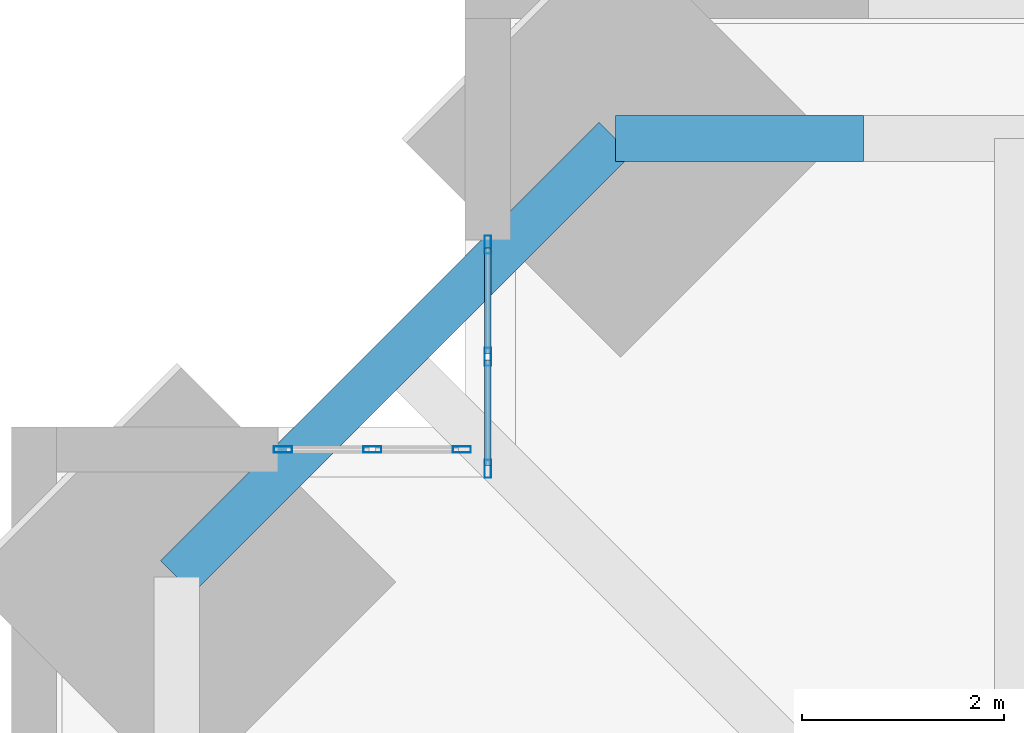
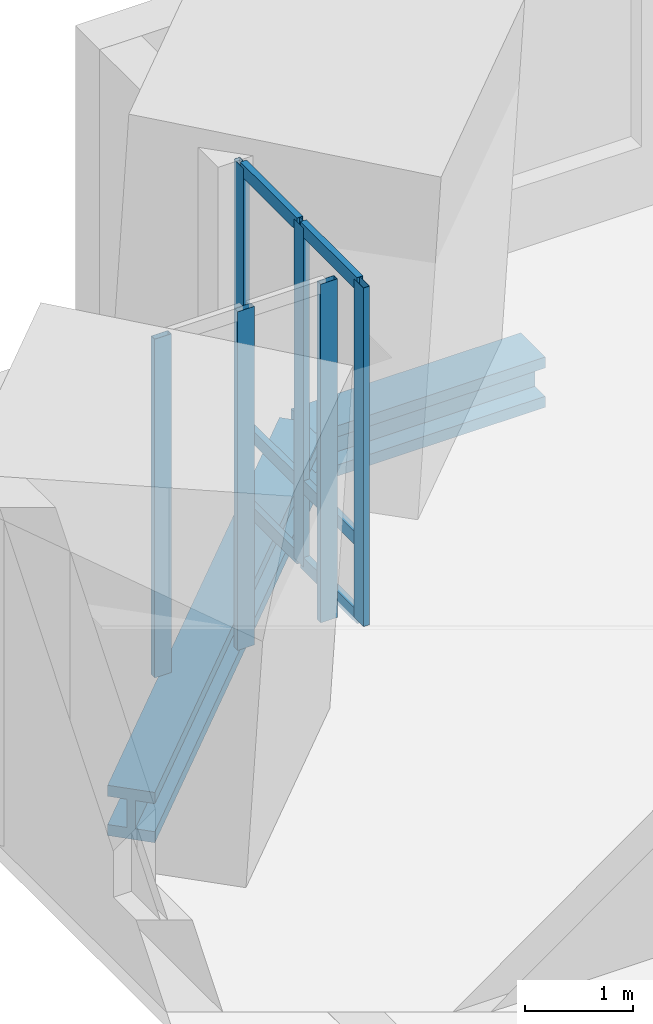
# One storey, part 6 of 15: 13 members, 1 beam, 2 elements without a shape of their own.
"""IFC4 building model written with IfcOpenShell, lengths in metres."""

from ifc_helpers import new_model, si_unit, direction, frame, origin, origin_2d, place, context, subcontext, project, spatial, hollow_rectangle, i_section, extrude, material, material_profile, profile_set, type_object, element, aggregate, save


model = new_model("IFC4")

# Units and contexts
model_context = context("Model", 3, precision=1e-05, world=origin(), true_north=direction((0.0, 1.0)))
body_context = subcontext(model_context, "Body", "Model", "MODEL_VIEW")
ifc_project = project(units=[si_unit("LENGTHUNIT", "METRE"), si_unit("AREAUNIT", "SQUARE_METRE"), si_unit("VOLUMEUNIT", "CUBIC_METRE"), si_unit("PLANEANGLEUNIT", "RADIAN"), si_unit("MASSUNIT", "GRAM", prefix="KILO")], contexts=[model_context])

# Site, building, storey
site_placement = place(None, origin())
site = spatial("IfcSite", under=ifc_project, at=site_placement, CompositionType="ELEMENT")
building_placement = place(site_placement, origin())
building = spatial("IfcBuilding", under=site, at=building_placement, Name="Peilmerk Tower", CompositionType="ELEMENT")
storey_placement = place(building_placement, frame((0.0, 0.0, 201.800048828125)))
storey = spatial("IfcBuildingStorey", under=building, at=storey_placement, Name="L43", CompositionType="ELEMENT", Elevation=201.800048828125)

# Beam
ifc_material_1 = material(Name="Steel S460", Category="steel")
ifc_material_profile_1 = material_profile(ifc_material_1, i_section(OverallWidth=0.4541015625, OverallDepth=0.569091796875, WebThickness=0.077880859375, FlangeThickness=0.125, at=origin_2d()), Name="HD 400x1086")
ifc_profile_set_1 = profile_set([ifc_material_profile_1], Name="Steel S460")
beam_type = type_object("IfcBeamType", Name="B17 HD 400x1086 edge beam", PredefinedType="SPANDREL", material=ifc_profile_set_1)
beam_placement = place(storey_placement, frame((-22.759765625, 18.40966796875, -0.45458984375), z_axis=(0.707106781187, 0.707106781187, 0.0), x_axis=(-0.707106781187, 0.707106781187, 0.0)))
element("IfcBeam", 1, at=beam_placement, inside=storey, type_object=beam_type, Name="Notch beam L43", PredefinedType="SPANDREL", context=body_context, shape_type="SweptSolid", body=[
    extrude(i_section(OverallWidth=0.4541015625, OverallDepth=0.569091796875, WebThickness=0.077880859375, FlangeThickness=0.125, at=origin_2d()), origin(), (0.0, 0.0, 1.0), 6.15185546875),
])

# Curtain wall, members
ifc_material_2 = material(Name="Aluminium stick curtain wall", Category="aluminium")
curtain_wall_type = type_object("IfcCurtainWallType", Name="CW4 stick curtain wall, 2250 module", PredefinedType="NOTDEFINED", material=ifc_material_2)
curtain_wall_1_placement = place(storey_placement, origin())
curtain_wall_1 = element("IfcCurtainWall", 2, at=curtain_wall_1_placement, inside=storey, type_object=curtain_wall_type, Name="Curtain wall CW4 NWA L43", PredefinedType="NOTDEFINED")
ifc_material_3 = material(Name="Aluminium EN AW-6063 T6", Category="aluminium")
ifc_material_profile_2 = material_profile(ifc_material_3, hollow_rectangle(XDim=0.06494140625, YDim=0.179931640625, WallThickness=0.0029296875, at=origin_2d()), Name="AL 180x65x3")
ifc_profile_set_2 = profile_set([ifc_material_profile_2], Name="Aluminium EN AW-6063 T6")
member_type_1 = type_object("IfcMemberType", Name="CW4-M AL 180x65x3 mullion", PredefinedType="MULLION", material=ifc_profile_set_2)
member_1_placement = place(storey_placement, frame((-19.675048828125, 19.482421875, 0.0), z_axis=(0.0, 0.0, 1.0), x_axis=(-1.0, 0.0, 0.0)))
member_1 = element("IfcMember", 3, at=member_1_placement, type_object=member_type_1, Name="CW4 mullion 1", PredefinedType="MULLION", context=body_context, shape_type="SweptSolid", body=[
    extrude(hollow_rectangle(XDim=0.06494140625, YDim=0.179931640625, WallThickness=0.0029296875, at=origin_2d()), origin(), (0.0, 0.0, 1.0), 3.829833984375),
])
member_2_placement = place(storey_placement, frame((-19.675048828125, 20.59423828125, 0.0), z_axis=(0.0, 0.0, 1.0), x_axis=(-1.0, 0.0, 0.0)))
member_2 = element("IfcMember", 4, at=member_2_placement, type_object=member_type_1, Name="CW4 mullion 2", PredefinedType="MULLION", context=body_context, shape_type="SweptSolid", body=[
    extrude(hollow_rectangle(XDim=0.06494140625, YDim=0.179931640625, WallThickness=0.0029296875, at=origin_2d()), origin(), (0.0, 0.0, 1.0), 3.829833984375),
])
member_3_placement = place(storey_placement, frame((-19.675048828125, 21.706298828125, 0.0), z_axis=(0.0, 0.0, 1.0), x_axis=(-1.0, 0.0, 0.0)))
member_3 = element("IfcMember", 5, at=member_3_placement, type_object=member_type_1, Name="CW4 mullion 3", PredefinedType="MULLION", context=body_context, shape_type="SweptSolid", body=[
    extrude(hollow_rectangle(XDim=0.06494140625, YDim=0.179931640625, WallThickness=0.0029296875, at=origin_2d()), origin(), (0.0, 0.0, 1.0), 3.829833984375),
])

curtain_wall_2_placement = place(storey_placement, origin())
curtain_wall_2 = element("IfcCurtainWall", 6, at=curtain_wall_2_placement, inside=storey, type_object=curtain_wall_type, Name="Curtain wall CW4 NWB L43", PredefinedType="NOTDEFINED")
member_4_placement = place(storey_placement, frame((-19.9326171875, 19.675048828125, 0.0), z_axis=(0.0, 0.0, 1.0), x_axis=(0.0, -1.0, 0.0)))
member_4 = element("IfcMember", 7, at=member_4_placement, type_object=member_type_1, Name="CW4 mullion 1", PredefinedType="MULLION", context=body_context, shape_type="SweptSolid", body=[
    extrude(hollow_rectangle(XDim=0.06494140625, YDim=0.179931640625, WallThickness=0.0029296875, at=origin_2d()), origin(), (0.0, 0.0, 1.0), 3.829833984375),
])
member_5_placement = place(storey_placement, frame((-20.8193359375, 19.675048828125, 0.0), z_axis=(0.0, 0.0, 1.0), x_axis=(0.0, -1.0, 0.0)))
member_5 = element("IfcMember", 8, at=member_5_placement, type_object=member_type_1, Name="CW4 mullion 2", PredefinedType="MULLION", context=body_context, shape_type="SweptSolid", body=[
    extrude(hollow_rectangle(XDim=0.06494140625, YDim=0.179931640625, WallThickness=0.0029296875, at=origin_2d()), origin(), (0.0, 0.0, 1.0), 3.829833984375),
])
member_6_placement = place(storey_placement, frame((-21.706298828125, 19.675048828125, 0.0), z_axis=(0.0, 0.0, 1.0), x_axis=(0.0, -1.0, 0.0)))
member_6 = element("IfcMember", 9, at=member_6_placement, type_object=member_type_1, Name="CW4 mullion 3", PredefinedType="MULLION", context=body_context, shape_type="SweptSolid", body=[
    extrude(hollow_rectangle(XDim=0.06494140625, YDim=0.179931640625, WallThickness=0.0029296875, at=origin_2d()), origin(), (0.0, 0.0, 1.0), 3.829833984375),
])
aggregate(curtain_wall_2, [member_4, member_5, member_6])

# Member
ifc_material_profile_3 = material_profile(ifc_material_3, hollow_rectangle(XDim=0.06494140625, YDim=0.14990234375, WallThickness=0.0029296875, at=origin_2d()), Name="AL 150x65x3")
ifc_profile_set_3 = profile_set([ifc_material_profile_3], Name="Aluminium EN AW-6063 T6")
member_type_2 = type_object("IfcMemberType", Name="CW4-T AL 150x65x3 transom", PredefinedType="USERDEFINED", material=ifc_profile_set_3)
member_7_placement = place(storey_placement, frame((-19.675048828125, 19.514892578125, 0.032470703125), z_axis=(0.0, 1.0, 0.0), x_axis=(-1.0, 0.0, 0.0)))
member_7 = element("IfcMember", 10, at=member_7_placement, type_object=member_type_2, Name="CW4 transom 1.1", ObjectType="TRANSOM", PredefinedType="USERDEFINED", context=body_context, shape_type="SweptSolid", body=[
    extrude(hollow_rectangle(XDim=0.06494140625, YDim=0.14990234375, WallThickness=0.0029296875, at=origin_2d()), origin(), (0.0, 0.0, 1.0), 1.046875),
])

member_8_placement = place(storey_placement, frame((-19.675048828125, 19.514892578125, 0.89990234375), z_axis=(0.0, 1.0, 0.0), x_axis=(-1.0, 0.0, 0.0)))
member_8 = element("IfcMember", 11, at=member_8_placement, type_object=member_type_2, Name="CW4 transom 1.2", ObjectType="TRANSOM", PredefinedType="USERDEFINED", context=body_context, shape_type="SweptSolid", body=[
    extrude(hollow_rectangle(XDim=0.06494140625, YDim=0.14990234375, WallThickness=0.0029296875, at=origin_2d()), origin(), (0.0, 0.0, 1.0), 1.046875),
])

member_9_placement = place(storey_placement, frame((-19.675048828125, 19.514892578125, 3.79736328125), z_axis=(0.0, 1.0, 0.0), x_axis=(-1.0, 0.0, 0.0)))
member_9 = element("IfcMember", 12, at=member_9_placement, type_object=member_type_2, Name="CW4 transom 1.3", ObjectType="TRANSOM", PredefinedType="USERDEFINED", context=body_context, shape_type="SweptSolid", body=[
    extrude(hollow_rectangle(XDim=0.06494140625, YDim=0.14990234375, WallThickness=0.0029296875, at=origin_2d()), origin(), (0.0, 0.0, 1.0), 1.046875),
])

member_10_placement = place(storey_placement, frame((-19.675048828125, 20.626953125, 0.032470703125), z_axis=(0.0, 1.0, 0.0), x_axis=(-1.0, 0.0, 0.0)))
member_10 = element("IfcMember", 13, at=member_10_placement, type_object=member_type_2, Name="CW4 transom 2.1", ObjectType="TRANSOM", PredefinedType="USERDEFINED", context=body_context, shape_type="SweptSolid", body=[
    extrude(hollow_rectangle(XDim=0.06494140625, YDim=0.14990234375, WallThickness=0.0029296875, at=origin_2d()), origin(), (0.0, 0.0, 1.0), 1.046630859375),
])

member_11_placement = place(storey_placement, frame((-19.675048828125, 20.626953125, 0.89990234375), z_axis=(0.0, 1.0, 0.0), x_axis=(-1.0, 0.0, 0.0)))
member_11 = element("IfcMember", 14, at=member_11_placement, type_object=member_type_2, Name="CW4 transom 2.2", ObjectType="TRANSOM", PredefinedType="USERDEFINED", context=body_context, shape_type="SweptSolid", body=[
    extrude(hollow_rectangle(XDim=0.06494140625, YDim=0.14990234375, WallThickness=0.0029296875, at=origin_2d()), origin(), (0.0, 0.0, 1.0), 1.046630859375),
])

member_12_placement = place(storey_placement, frame((-19.675048828125, 20.626953125, 3.79736328125), z_axis=(0.0, 1.0, 0.0), x_axis=(-1.0, 0.0, 0.0)))
member_12 = element("IfcMember", 15, at=member_12_placement, type_object=member_type_2, Name="CW4 transom 2.3", ObjectType="TRANSOM", PredefinedType="USERDEFINED", context=body_context, shape_type="SweptSolid", body=[
    extrude(hollow_rectangle(XDim=0.06494140625, YDim=0.14990234375, WallThickness=0.0029296875, at=origin_2d()), origin(), (0.0, 0.0, 1.0), 1.046630859375),
])

aggregate(curtain_wall_1, [member_1, member_2, member_3, member_7, member_8, member_9, member_10, member_11, member_12])

ifc_material_profile_4 = material_profile(ifc_material_1, i_section(OverallWidth=0.4541015625, OverallDepth=0.569091796875, WebThickness=0.077880859375, FlangeThickness=0.125, at=origin_2d()), Name="HD 400x1086")
ifc_profile_set_4 = profile_set([ifc_material_profile_4], Name="Steel S460")
member_type_3 = type_object("IfcMemberType", Name="M1 HD 400x1086 belt truss chord", PredefinedType="CHORD", material=ifc_profile_set_4)
member_13_placement = place(storey_placement, frame((-15.949951171875, 22.759765625, -0.45458984375), z_axis=(-1.0, 0.0, 0.0), x_axis=(0.0, -1.0, 0.0)))
element("IfcMember", 16, at=member_13_placement, inside=storey, type_object=member_type_3, Name="Belt truss chord L43", PredefinedType="CHORD", context=body_context, shape_type="SweptSolid", body=[
    extrude(i_section(OverallWidth=0.4541015625, OverallDepth=0.569091796875, WebThickness=0.077880859375, FlangeThickness=0.125, at=origin_2d()), origin(), (0.0, 0.0, 1.0), 2.459716796875),
])

save(model, "model.ifc")
